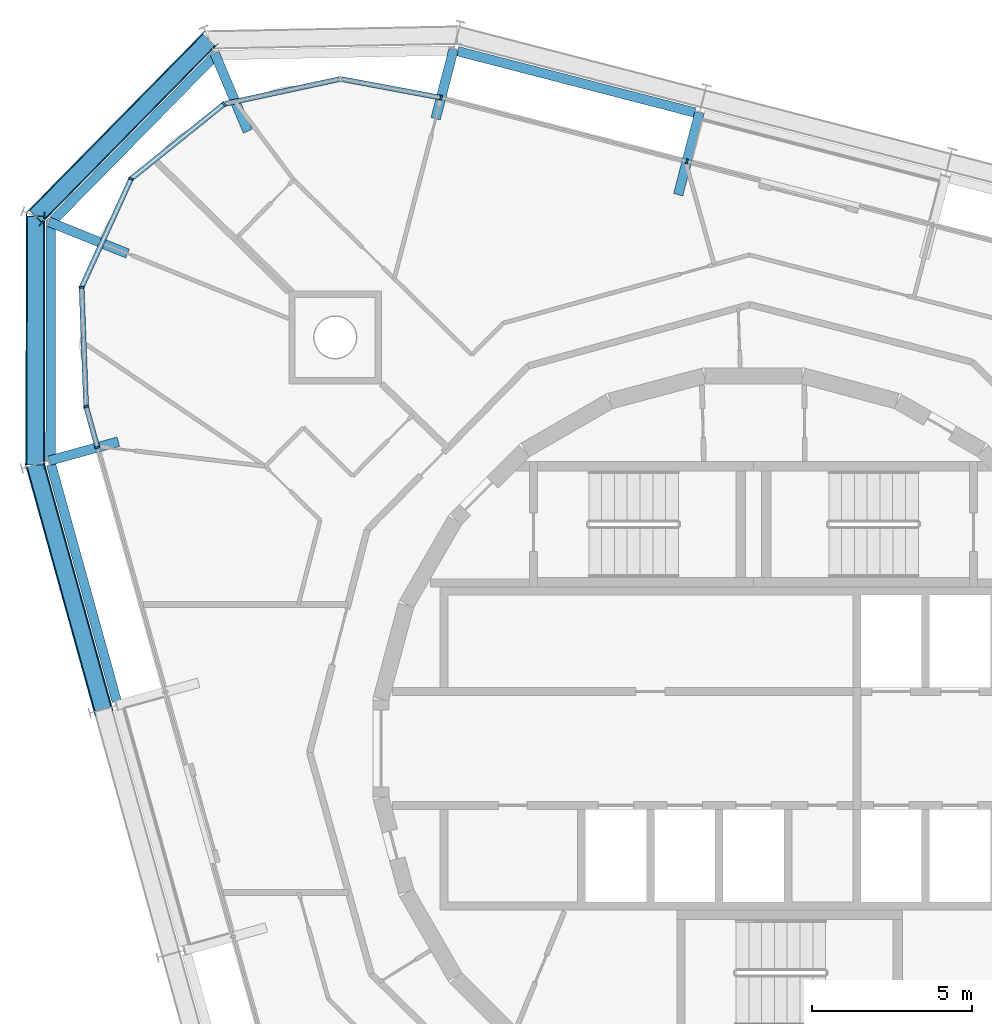
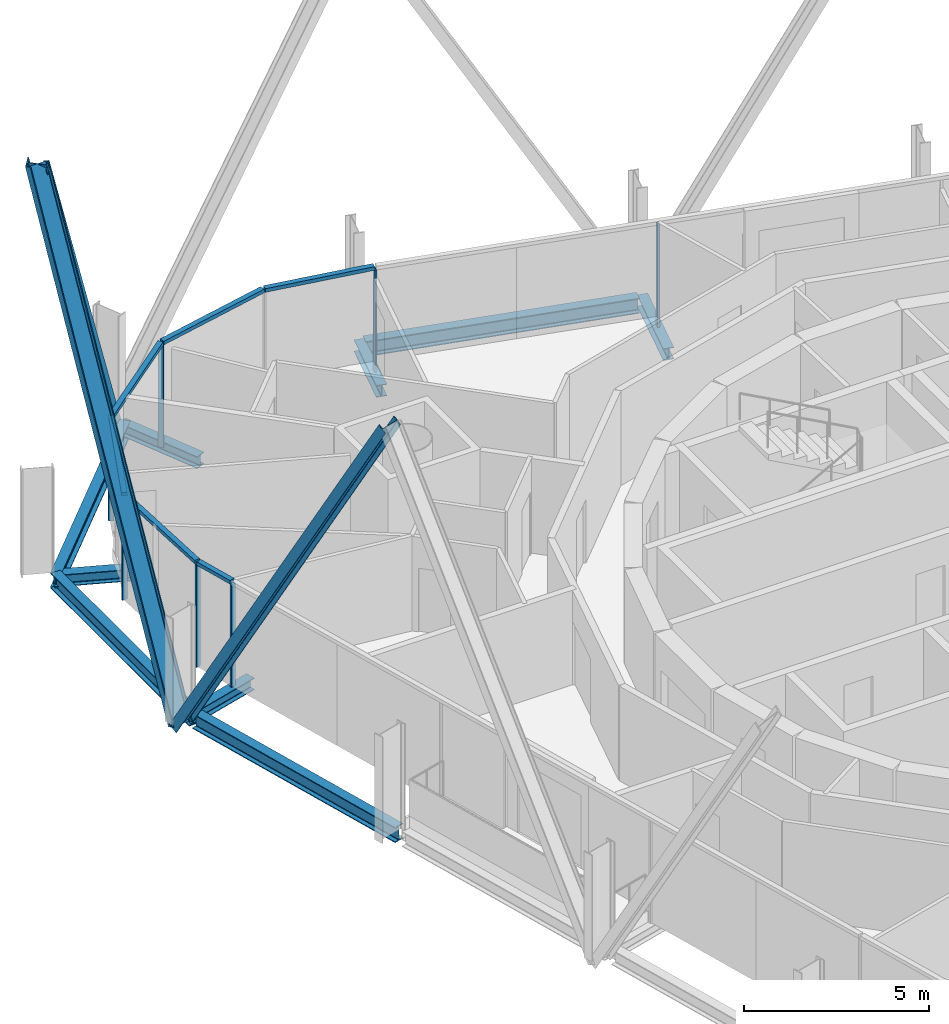
# One storey, part 5 of 15: 16 members, 9 beams, 3 elements without a shape of their own.
"""IFC4 building model written with IfcOpenShell, lengths in metres."""

import ifcopenshell
import ifcopenshell.guid

model = None  # the IFC model being written
_history = None  # IfcOwnerHistory: only IFC2X3 demands one
_inside = {}  # id of a spatial element -> (the spatial element, [elements in it])
_under = {}  # id of a project, library or spatial element -> (it, [spatial elements below it])
_declared = {}  # id of a project -> (the project, [libraries it declares])
_typed = {}  # id of a type object -> (the type object, [elements of that type])
_made_of = {}  # id of a material, layer set ... -> (it, [elements and type objects made of it])


def new_model(schema):
    """Start an empty IFC model of exactly this schema.

    Asked for "IFC4X3", IfcOpenShell would pick the latest addendum, in which some entities
    have other attributes; the version numbers below select the first issue.
    IFC2X3 requires an IfcOwnerHistory on every rooted entity: one is made here for all.
    """
    global model, _history
    if schema == "IFC4X3":
        model = ifcopenshell.file(schema_version=(4, 3, 0, 0))
    else:
        model = ifcopenshell.file(schema=schema)
    _inside.clear()
    _under.clear()
    _declared.clear()
    _typed.clear()
    _made_of.clear()
    _history = None
    if model.schema == "IFC2X3":
        org = make("IfcOrganization", Name="unknown")
        user = make(
            "IfcPersonAndOrganization",
            ThePerson=make("IfcPerson", FamilyName="unknown"),
            TheOrganization=org,
        )
        app = make(
            "IfcApplication",
            ApplicationDeveloper=org,
            Version="unknown",
            ApplicationFullName="unknown",
            ApplicationIdentifier="unknown",
        )
        _history = make(
            "IfcOwnerHistory",
            OwningUser=user,
            OwningApplication=app,
            ChangeAction="ADDED",
            CreationDate=0,
        )
    return model


def make(cls, **values):
    """One entity of the class cls with the attributes given. An attribute that is None is left unset."""
    return model.create_entity(
        cls, **{name: value for name, value in values.items() if value is not None}
    )


def rooted(cls, **values):
    """An entity with a GlobalId (a new one), such as an element, a storey or a relation."""
    return make(cls, GlobalId=ifcopenshell.guid.new(), OwnerHistory=_history, **values)


def si_unit(unit_type, name, prefix=None):
    """IfcSIUnit, for example si_unit("LENGTHUNIT", "METRE", prefix="MILLI")."""
    return make("IfcSIUnit", UnitType=unit_type, Prefix=prefix, Name=name)


def assignment(units):
    """IfcUnitAssignment: the units of a project."""
    return None if units is None else make("IfcUnitAssignment", Units=units)


def point(xyz):
    """IfcCartesianPoint."""
    return None if xyz is None else make("IfcCartesianPoint", Coordinates=xyz)


def direction(xyz):
    """IfcDirection."""
    return None if xyz is None else make("IfcDirection", DirectionRatios=xyz)


def frame(location, z_axis=None, x_axis=None):
    """IfcAxis2Placement3D, a coordinate frame: its origin and axes. An axis left out is left unset."""
    return make(
        "IfcAxis2Placement3D",
        Location=point(location),
        Axis=direction(z_axis),
        RefDirection=direction(x_axis),
    )


def frame_2d(location, x_axis=None):
    """IfcAxis2Placement2D, a coordinate frame in the plane: its origin and x axis."""
    return make(
        "IfcAxis2Placement2D", Location=point(location), RefDirection=direction(x_axis)
    )


def origin():
    """The frame at (0, 0, 0) with its axes left unset."""
    return frame((0.0, 0.0, 0.0))


def origin_2d():
    """The frame at (0, 0) in the plane with its x axis left unset."""
    return frame_2d((0.0, 0.0))


def place(relative_to, where):
    """IfcLocalPlacement: puts the frame where relative to a parent placement (None: the world)."""
    return make(
        "IfcLocalPlacement", PlacementRelTo=relative_to, RelativePlacement=where
    )


def context(
    kind, dimensions, precision=None, world=None, true_north=None, identifier=None
):
    """IfcGeometricRepresentationContext, for example the 3D "Model" context."""
    return make(
        "IfcGeometricRepresentationContext",
        ContextIdentifier=identifier,
        ContextType=kind,
        CoordinateSpaceDimension=dimensions,
        Precision=precision,
        WorldCoordinateSystem=world,
        TrueNorth=true_north,
    )


def subcontext(parent, identifier, kind, view, scale=None):
    """IfcGeometricRepresentationSubContext, for example "Body" below "Model"."""
    return make(
        "IfcGeometricRepresentationSubContext",
        ContextIdentifier=identifier,
        ContextType=kind,
        ParentContext=parent,
        TargetScale=scale,
        TargetView=view,
    )


def project(units=None, contexts=None):
    """IfcProject with its units and contexts."""
    return rooted(
        "IfcProject",
        Name="project",
        RepresentationContexts=contexts,
        UnitsInContext=assignment(units),
    )


def spatial(cls, under=None, at=None, **own):
    """A site, building, storey or space (cls), placed at a placement, below another one or the project."""
    s = rooted(cls, ObjectPlacement=at, **own)
    if under is not None:
        _under.setdefault(under.id(), (under, []))[1].append(s)
    return s


def profile(cls, at=None, kind="AREA", **sizes):
    """A parametric profile (cls). Its sizes go by their IFC names, for example OverallWidth=200.0."""
    return make(cls, ProfileType=kind, Position=at, **sizes)


def rectangle(**sizes):
    """IfcRectangleProfileDef."""
    return profile("IfcRectangleProfileDef", **sizes)


def i_section(**sizes):
    """IfcIShapeProfileDef."""
    return profile("IfcIShapeProfileDef", **sizes)


def extrude(swept, where, along, depth):
    """IfcExtrudedAreaSolid: the profile swept, set in the frame where, extruded along a direction by depth."""
    return make(
        "IfcExtrudedAreaSolid",
        SweptArea=swept,
        Position=where,
        ExtrudedDirection=direction(along),
        Depth=depth,
    )


def shape(context_of_items, identifier, shape_type, items):
    """IfcShapeRepresentation: the items that make up one representation, for example the "Body"."""
    return make(
        "IfcShapeRepresentation",
        ContextOfItems=context_of_items,
        RepresentationIdentifier=identifier,
        RepresentationType=shape_type,
        Items=items,
    )


def material(Name=None, Category=None):
    """IfcMaterial."""
    return make("IfcMaterial", Name=Name, Category=Category)


def layer(
    of_material, thickness, ventilated=None, Name=None, Category=None, Priority=None
):
    """IfcMaterialLayer: one layer of a wall or slab, of a material (None: an air gap)."""
    return make(
        "IfcMaterialLayer",
        Material=of_material,
        LayerThickness=thickness,
        IsVentilated=ventilated,
        Name=Name,
        Category=Category,
        Priority=Priority,
    )


def layer_set(layers, Name=None):
    """IfcMaterialLayerSet."""
    return make("IfcMaterialLayerSet", MaterialLayers=layers, LayerSetName=Name)


def material_profile(
    of_material, cross_section, Name=None, Category=None, Priority=None
):
    """IfcMaterialProfile: a cross section and its material."""
    return make(
        "IfcMaterialProfile",
        Name=Name,
        Material=of_material,
        Profile=cross_section,
        Priority=Priority,
        Category=Category,
    )


def profile_set(profiles, Name=None, composite=None):
    """IfcMaterialProfileSet."""
    return make(
        "IfcMaterialProfileSet",
        Name=Name,
        MaterialProfiles=profiles,
        CompositeProfile=composite,
    )


def made_of(thing, what):
    """Note that an element or type object is made of a material, layer set ...; save() writes the relation."""
    if what is not None:
        _made_of.setdefault(what.id(), (what, []))[1].append(thing)
    return thing


def type_object(cls, material=None, **own):
    """A type object (cls), such as IfcWallType, which elements share."""
    return made_of(rooted(cls, **own), material)


def element(
    cls,
    number,
    at=None,
    inside=None,
    cuts=None,
    type_object=None,
    material=None,
    context=None,
    identifier="Body",
    shape_type=None,
    held_by="IfcProductDefinitionShape",
    body=None,
    shapes=None,
    **own,
):
    """One element of the class cls, such as IfcWall. Its Tag is "e" and its number.

    at: its placement. inside: the storey or other place that contains it. cuts: it is an
    opening in that element (IfcRelVoidsElement). A single representation is given by context,
    identifier, shape_type and body (its items); several are given by shapes. held_by: the class
    of the entity that holds the representations. save() writes the other relations.
    """
    e = rooted(cls, Tag="e%d" % number, ObjectPlacement=at, **own)
    if body is not None:
        shapes = [shape(context, identifier, shape_type, body)]
    if shapes is not None:
        e.Representation = make(held_by, Representations=shapes)
    if inside is not None:
        _inside.setdefault(inside.id(), (inside, []))[1].append(e)
    if cuts is not None:
        rooted(
            "IfcRelVoidsElement", RelatingBuildingElement=cuts, RelatedOpeningElement=e
        )
    if type_object is not None:
        _typed.setdefault(type_object.id(), (type_object, []))[1].append(e)
    return made_of(e, material)


def aggregate(whole, parts):
    """IfcRelAggregates: a whole, such as a stair, and the parts it consists of."""
    return rooted("IfcRelAggregates", RelatingObject=whole, RelatedObjects=parts)


def save(model, path):
    """Write the relations noted so far, then the file.

    IfcRelAggregates (storeys below a building ...), IfcRelContainedInSpatialStructure (elements
    in a storey), IfcRelDefinesByType, IfcRelAssociatesMaterial and IfcRelDeclares: one each for
    every whole, place, type object, material and project.
    """
    for whole, parts in _under.values():
        aggregate(whole, parts)
    for where, things in _inside.values():
        rooted(
            "IfcRelContainedInSpatialStructure",
            RelatedElements=things,
            RelatingStructure=where,
        )
    for kind, things in _typed.values():
        rooted("IfcRelDefinesByType", RelatedObjects=things, RelatingType=kind)
    for what, things in _made_of.values():
        rooted("IfcRelAssociatesMaterial", RelatedObjects=things, RelatingMaterial=what)
    for by, libraries in _declared.values():
        rooted("IfcRelDeclares", RelatingContext=by, RelatedDefinitions=libraries)
    model.write(path)


model = new_model("IFC4")

# Units and contexts
model_context = context("Model", 3, precision=1e-05, world=origin(), true_north=direction((0.0, 1.0)))
body_context = subcontext(model_context, "Body", "Model", "MODEL_VIEW")
ifc_project = project(units=[si_unit("LENGTHUNIT", "METRE"), si_unit("AREAUNIT", "SQUARE_METRE"), si_unit("VOLUMEUNIT", "CUBIC_METRE"), si_unit("PLANEANGLEUNIT", "RADIAN"), si_unit("MASSUNIT", "GRAM", prefix="KILO")], contexts=[model_context])

# Site, building, storey
site_placement = place(None, origin())
site = spatial("IfcSite", under=ifc_project, at=site_placement, CompositionType="ELEMENT")
building_placement = place(site_placement, origin())
building = spatial("IfcBuilding", under=site, at=building_placement, Name="Spindle Arch Residences", CompositionType="ELEMENT")
storey_placement = place(building_placement, frame((0.0, 0.0, 312.199951171875)))
storey = spatial("IfcBuildingStorey", under=building, at=storey_placement, Name="L80", CompositionType="ELEMENT", Elevation=312.199951171875)

# Curtain wall, member
ifc_material_1 = material(Name="Aluminium bronze unitised frame with tinted glass", Category="aluminium")
ifc_layer_1 = layer(ifc_material_1, 0.159912109375)
ifc_layer_set_1 = layer_set([ifc_layer_1], Name="CW-C typical residential unitised wall")
curtain_wall_type_1 = type_object("IfcCurtainWallType", Name="CW-C typical residential unitised wall", PredefinedType="NOTDEFINED", material=ifc_layer_set_1)
curtain_wall_1_placement = place(storey_placement, origin())
curtain_wall_1 = element("IfcCurtainWall", 1, at=curtain_wall_1_placement, inside=storey, type_object=curtain_wall_type_1, Name="CW-C L80 run 2", PredefinedType="NOTDEFINED")
ifc_material_2 = material(Name="Aluminium bronze anodised mullion", Category="aluminium")
ifc_material_profile_1 = material_profile(ifc_material_2, rectangle(XDim=0.159912109375, YDim=0.06005859375, at=origin_2d()), Name="MU 60x160")
ifc_profile_set_1 = profile_set([ifc_material_profile_1], Name="Aluminium bronze anodised mullion")
member_type_1 = type_object("IfcMemberType", Name="Bronze mullion 60x160", PredefinedType="MULLION", material=ifc_profile_set_1)
member_1_placement = place(storey_placement, frame((-2.084228515625, 18.35107421875, -0.3798828125), z_axis=(0.0, 0.0, 1.0), x_axis=(-0.250380004054, -0.968147640378, 0.0)))
member_1 = element("IfcMember", 2, at=member_1_placement, type_object=member_type_1, Name="CW-C mullion 07", PredefinedType="MULLION", context=body_context, shape_type="SweptSolid", body=[
    extrude(rectangle(XDim=0.159912109375, YDim=0.06005859375, at=origin_2d()), origin(), (0.0, 0.0, 1.0), 3.3798828125),
])
aggregate(curtain_wall_1, [member_1])

# Curtain wall, members
ifc_material_3 = material(Name="Aluminium bronze unitised frame with tinted glass", Category="aluminium")
ifc_layer_2 = layer(ifc_material_3, 0.159912109375)
ifc_layer_set_2 = layer_set([ifc_layer_2], Name="CW-D corner wall on the fillet arcs")
curtain_wall_type_2 = type_object("IfcCurtainWallType", Name="CW-D corner wall on the fillet arcs", PredefinedType="NOTDEFINED", material=ifc_layer_set_2)
curtain_wall_2_placement = place(storey_placement, origin())
curtain_wall_2 = element("IfcCurtainWall", 3, at=curtain_wall_2_placement, inside=storey, type_object=curtain_wall_type_2, Name="CW-D L80 run 3", PredefinedType="NOTDEFINED")
member_2_placement = place(storey_placement, frame((-9.7666015625, 20.337890625, -0.3798828125), z_axis=(0.0, 0.0, 1.0), x_axis=(-0.183837217301, -0.98295670176, 0.0)))
member_2 = element("IfcMember", 4, at=member_2_placement, type_object=member_type_1, Name="CW-D mullion 00", PredefinedType="MULLION", context=body_context, shape_type="SweptSolid", body=[
    extrude(rectangle(XDim=0.159912109375, YDim=0.06005859375, at=origin_2d()), origin(), (0.0, 0.0, 1.0), 3.3798828125),
])
member_3_placement = place(storey_placement, frame((-16.5517578125, 20.14013671875, -0.3798828125), z_axis=(0.0, 0.0, 1.0), x_axis=(0.627057107401, -0.778973288411, 0.0)))
member_3 = element("IfcMember", 5, at=member_3_placement, type_object=member_type_1, Name="CW-D mullion 02", PredefinedType="MULLION", context=body_context, shape_type="SweptSolid", body=[
    extrude(rectangle(XDim=0.159912109375, YDim=0.06005859375, at=origin_2d()), origin(), (0.0, 0.0, 1.0), 3.3798828125),
])
member_4_placement = place(storey_placement, frame((-19.454833984375, 17.80322265625, -0.3798828125), z_axis=(0.0, 0.0, 1.0), x_axis=(0.9099612694, -0.414693245896, 0.0)))
member_4 = element("IfcMember", 6, at=member_4_placement, type_object=member_type_1, Name="CW-D mullion 03", PredefinedType="MULLION", context=body_context, shape_type="SweptSolid", body=[
    extrude(rectangle(XDim=0.159912109375, YDim=0.06005859375, at=origin_2d()), origin(), (0.0, 0.0, 1.0), 3.3798828125),
])
member_5_placement = place(storey_placement, frame((-21.00048828125, 14.411865234375, -0.3798828125), z_axis=(0.0, 0.0, 1.0), x_axis=(0.999285080405, 0.037806455536, 0.0)))
member_5 = element("IfcMember", 7, at=member_5_placement, type_object=member_type_1, Name="CW-D mullion 04", PredefinedType="MULLION", context=body_context, shape_type="SweptSolid", body=[
    extrude(rectangle(XDim=0.159912109375, YDim=0.06005859375, at=origin_2d()), origin(), (0.0, 0.0, 1.0), 3.3798828125),
])
member_6_placement = place(storey_placement, frame((-20.859375, 10.687744140625, -0.3798828125), z_axis=(0.0, 0.0, 1.0), x_axis=(0.963630453209, 0.267238376078, 0.0)))
member_6 = element("IfcMember", 8, at=member_6_placement, type_object=member_type_1, Name="CW-D mullion 05", PredefinedType="MULLION", context=body_context, shape_type="SweptSolid", body=[
    extrude(rectangle(XDim=0.159912109375, YDim=0.06005859375, at=origin_2d()), origin(), (0.0, 0.0, 1.0), 3.3798828125),
])

# Curtain wall, member
curtain_wall_3_placement = place(storey_placement, origin())
curtain_wall_3 = element("IfcCurtainWall", 9, at=curtain_wall_3_placement, inside=storey, type_object=curtain_wall_type_1, Name="CW-C L80 run 4", PredefinedType="NOTDEFINED")
member_7_placement = place(storey_placement, frame((-20.505126953125, 9.41015625, -0.3798828125), z_axis=(0.0, 0.0, 1.0), x_axis=(0.963630453209, 0.267238376078, 0.0)))
member_7 = element("IfcMember", 10, at=member_7_placement, type_object=member_type_1, Name="CW-C mullion 11", PredefinedType="MULLION", context=body_context, shape_type="SweptSolid", body=[
    extrude(rectangle(XDim=0.159912109375, YDim=0.06005859375, at=origin_2d()), origin(), (0.0, 0.0, 1.0), 3.3798828125),
])
aggregate(curtain_wall_3, [member_7])

# Member
ifc_material_4 = material(Name="Aluminium bronze anodised transom", Category="aluminium")
ifc_material_profile_2 = material_profile(ifc_material_4, rectangle(XDim=0.159912109375, YDim=0.1201171875, at=origin_2d()), Name="TR 120x160")
ifc_profile_set_2 = profile_set([ifc_material_profile_2], Name="Aluminium bronze anodised transom")
member_type_2 = type_object("IfcMemberType", Name="Bronze transom 120x160", PredefinedType="USERDEFINED", material=ifc_profile_set_2)
member_8_placement = place(storey_placement, frame((-9.796142578125, 20.34326171875, 3.06005859375), z_axis=(-0.982955792974, 0.183842076412, 0.0), x_axis=(-0.183842076412, -0.982955792974, 0.0)))
member_8 = element("IfcMember", 11, at=member_8_placement, type_object=member_type_2, Name="CW-D transom 00", ObjectType="TRANSOM", PredefinedType="USERDEFINED", context=body_context, shape_type="SweptSolid", body=[
    extrude(rectangle(XDim=0.159912109375, YDim=0.1201171875, at=origin_2d()), origin(), (0.0, 0.0, 1.0), 3.13671875),
])

member_9_placement = place(storey_placement, frame((-12.938232421875, 20.919189453125, 3.06005859375), z_axis=(-0.977527770532, -0.210806683571, 0.0), x_axis=(0.210806683571, -0.977527770532, 0.0)))
member_9 = element("IfcMember", 12, at=member_9_placement, type_object=member_type_2, Name="CW-D transom 01", ObjectType="TRANSOM", PredefinedType="USERDEFINED", context=body_context, shape_type="SweptSolid", body=[
    extrude(rectangle(XDim=0.159912109375, YDim=0.1201171875, at=origin_2d()), origin(), (0.0, 0.0, 1.0), 3.66650390625),
])

member_10_placement = place(storey_placement, frame((-16.5751953125, 20.121337890625, 3.06005859375), z_axis=(-0.778981543265, -0.627046852518, 0.0), x_axis=(0.627046852518, -0.778981543265, 0.0)))
member_10 = element("IfcMember", 13, at=member_10_placement, type_object=member_type_2, Name="CW-D transom 02", ObjectType="TRANSOM", PredefinedType="USERDEFINED", context=body_context, shape_type="SweptSolid", body=[
    extrude(rectangle(XDim=0.159912109375, YDim=0.1201171875, at=origin_2d()), origin(), (0.0, 0.0, 1.0), 3.6669921875),
])

member_11_placement = place(storey_placement, frame((-19.46728515625, 17.77587890625, 3.06005859375), z_axis=(-0.414725728642, -0.90994646546, 0.0), x_axis=(0.90994646546, -0.414725728642, 0.0)))
member_11 = element("IfcMember", 14, at=member_11_placement, type_object=member_type_2, Name="CW-D transom 03", ObjectType="TRANSOM", PredefinedType="USERDEFINED", context=body_context, shape_type="SweptSolid", body=[
    extrude(rectangle(XDim=0.159912109375, YDim=0.1201171875, at=origin_2d()), origin(), (0.0, 0.0, 1.0), 3.6669921875),
])

member_12_placement = place(storey_placement, frame((-20.999267578125, 14.382080078125, 3.06005859375), z_axis=(0.03781688996, -0.99928468558, 0.0), x_axis=(0.99928468558, 0.03781688996, 0.0)))
member_12 = element("IfcMember", 15, at=member_12_placement, type_object=member_type_2, Name="CW-D transom 04", ObjectType="TRANSOM", PredefinedType="USERDEFINED", context=body_context, shape_type="SweptSolid", body=[
    extrude(rectangle(XDim=0.159912109375, YDim=0.1201171875, at=origin_2d()), origin(), (0.0, 0.0, 1.0), 3.6669921875),
])

member_13_placement = place(storey_placement, frame((-20.8515625, 10.658935546875, 3.06005859375), z_axis=(0.267275846412, -0.963620060981, 0.0), x_axis=(0.963620060981, 0.267275846412, 0.0)))
member_13 = element("IfcMember", 16, at=member_13_placement, type_object=member_type_2, Name="CW-D transom 05", ObjectType="TRANSOM", PredefinedType="USERDEFINED", context=body_context, shape_type="SweptSolid", body=[
    extrude(rectangle(XDim=0.159912109375, YDim=0.1201171875, at=origin_2d()), origin(), (0.0, 0.0, 1.0), 1.26611328125),
])

aggregate(curtain_wall_2, [member_2, member_8, member_9, member_3, member_10, member_4, member_11, member_5, member_12, member_6, member_13])

# Members
ifc_material_5 = material(Name="Steel S460ML, intumescent coating R 240", Category="steel")
ifc_material_profile_3 = material_profile(ifc_material_5, i_section(OverallWidth=0.300048828125, OverallDepth=0.60009765625, WebThickness=0.015380859375, FlangeThickness=0.030029296875, FilletRadius=0.027099609375, at=origin_2d()), Name="HEB 600")
ifc_profile_set_3 = profile_set([ifc_material_profile_3], Name="Steel S460ML, intumescent coating R 240")
member_type_3 = type_object("IfcMemberType", Name="Diagrid diagonal HEB 600", PredefinedType="BRACE", material=ifc_profile_set_3)
member_14_placement = place(storey_placement, frame((-17.0185546875, 22.144775390625, -0.6298828125), z_axis=(-0.343136747331, -0.349180281935, 0.871969210087), x_axis=(0.611169702732, 0.621933997947, 0.489560718053)))
element("IfcMember", 17, at=member_14_placement, inside=storey, type_object=member_type_3, Name="Diagrid diagonal 8.2.10", PredefinedType="BRACE", context=body_context, shape_type="SweptSolid", body=[
    extrude(i_section(OverallWidth=0.300048828125, OverallDepth=0.60009765625, WebThickness=0.015380859375, FlangeThickness=0.030029296875, FilletRadius=0.027099609375, at=origin_2d()), origin(), (0.0, 0.0, 1.0), 15.795166015625),
])
member_15_placement = place(storey_placement, frame((-22.45166015625, 8.870361328125, -0.6298828125), z_axis=(0.000833975663, 0.490825565691, 0.871257463985), x_axis=(-0.001480376173, -0.871256206311, 0.490826274206)))
element("IfcMember", 18, at=member_15_placement, inside=storey, type_object=member_type_3, Name="Diagrid diagonal 8.2.11", PredefinedType="BRACE", context=body_context, shape_type="SweptSolid", body=[
    extrude(i_section(OverallWidth=0.300048828125, OverallDepth=0.60009765625, WebThickness=0.015380859375, FlangeThickness=0.030029296875, FilletRadius=0.027099609375, at=origin_2d()), origin(), (0.0, 0.0, 1.0), 15.80810546875),
])
member_16_placement = place(storey_placement, frame((-22.45166015625, 8.870361328125, -0.6298828125), z_axis=(0.133411044689, -0.481053870555, 0.866480621121), x_axis=(-0.231561708301, 0.834965772968, 0.499210710243)))
element("IfcMember", 19, at=member_16_placement, inside=storey, type_object=member_type_3, Name="Diagrid diagonal 8.2.12", PredefinedType="BRACE", context=body_context, shape_type="SweptSolid", body=[
    extrude(i_section(OverallWidth=0.300048828125, OverallDepth=0.60009765625, WebThickness=0.015380859375, FlangeThickness=0.030029296875, FilletRadius=0.027099609375, at=origin_2d()), origin(), (0.0, 0.0, 1.0), 15.895263671875),
])

# Beams
ifc_material_6 = material(Name="Steel S460ML, intumescent coating R 120", Category="steel")
ifc_material_profile_4 = material_profile(ifc_material_6, i_section(OverallWidth=0.300048828125, OverallDepth=0.5, WebThickness=0.014404296875, FlangeThickness=0.028076171875, FilletRadius=0.027099609375, at=origin_2d()), Name="HEB 500")
ifc_profile_set_4 = profile_set([ifc_material_profile_4], Name="Steel S460ML, intumescent coating R 120")
beam_type_1 = type_object("IfcBeamType", Name="Exoskeleton edge beam HEB 500", PredefinedType="BEAM", material=ifc_profile_set_4)
beam_1_placement = place(storey_placement, frame((-1.824462890625, 19.87451171875, -0.6298828125), z_axis=(-0.968149836341, 0.250371512743, 0.0), x_axis=(-0.250371512743, -0.968149836341, 0.0)))
element("IfcBeam", 20, at=beam_1_placement, inside=storey, type_object=beam_type_1, Name="Exoskeleton edge beam 8", PredefinedType="BEAM", context=body_context, shape_type="SweptSolid", body=[
    extrude(i_section(OverallWidth=0.300048828125, OverallDepth=0.5, WebThickness=0.014404296875, FlangeThickness=0.028076171875, FilletRadius=0.027099609375, at=origin_2d()), origin(), (0.0, 0.0, 1.0), 7.675048828125),
])
beam_2_placement = place(storey_placement, frame((-16.767333984375, 21.715576171875, -0.6298828125), z_axis=(-0.700904877176, -0.713254760342, 0.0), x_axis=(0.713254760342, -0.700904877176, 0.0)))
element("IfcBeam", 21, at=beam_2_placement, inside=storey, type_object=beam_type_1, Name="Exoskeleton edge beam 10", PredefinedType="BEAM", context=body_context, shape_type="SweptSolid", body=[
    extrude(i_section(OverallWidth=0.300048828125, OverallDepth=0.5, WebThickness=0.014404296875, FlangeThickness=0.028076171875, FilletRadius=0.027099609375, at=origin_2d()), origin(), (0.0, 0.0, 1.0), 7.47265625),
])
beam_3_placement = place(storey_placement, frame((-21.95947265625, 16.472412109375, -0.6298828125), z_axis=(-0.001692871227, -0.999998567092, 0.0), x_axis=(0.999998567092, -0.001692871227, 0.0)))
element("IfcBeam", 22, at=beam_3_placement, inside=storey, type_object=beam_type_1, Name="Exoskeleton edge beam 11", PredefinedType="BEAM", context=body_context, shape_type="SweptSolid", body=[
    extrude(i_section(OverallWidth=0.300048828125, OverallDepth=0.5, WebThickness=0.014404296875, FlangeThickness=0.028076171875, FilletRadius=0.027099609375, at=origin_2d()), origin(), (0.0, 0.0, 1.0), 7.499267578125),
])
beam_4_placement = place(storey_placement, frame((-21.954345703125, 8.873291015625, -0.6298828125), z_axis=(0.26723040865, -0.963632662737, 0.0), x_axis=(0.963632662737, 0.26723040865, 0.0)))
element("IfcBeam", 23, at=beam_4_placement, inside=storey, type_object=beam_type_1, Name="Exoskeleton edge beam 12", PredefinedType="BEAM", context=body_context, shape_type="SweptSolid", body=[
    extrude(i_section(OverallWidth=0.300048828125, OverallDepth=0.5, WebThickness=0.014404296875, FlangeThickness=0.028076171875, FilletRadius=0.027099609375, at=origin_2d()), origin(), (0.0, 0.0, 1.0), 7.675048828125),
])
ifc_material_7 = material(Name="Steel S460ML, intumescent coating R 120", Category="steel")
ifc_material_profile_5 = material_profile(ifc_material_7, i_section(OverallWidth=0.300048828125, OverallDepth=0.389892578125, WebThickness=0.010986328125, FlangeThickness=0.01904296875, FilletRadius=0.027099609375, at=origin_2d()), Name="HEA 400")
ifc_profile_set_5 = profile_set([ifc_material_profile_5], Name="Steel S460ML, intumescent coating R 120")
beam_type_2 = type_object("IfcBeamType", Name="Floor outrigger HEA 400", PredefinedType="BEAM", material=ifc_profile_set_5)
beam_5_placement = place(storey_placement, frame((-1.691162109375, 19.87109375, -0.574951171875), z_axis=(-0.250396221036, -0.968143446237, 0.0), x_axis=(0.968143446237, -0.250396221036, 0.0)))
element("IfcBeam", 24, at=beam_5_placement, inside=storey, type_object=beam_type_2, Name="Floor outrigger 8", PredefinedType="BEAM", context=body_context, shape_type="SweptSolid", body=[
    extrude(i_section(OverallWidth=0.300048828125, OverallDepth=0.389892578125, WebThickness=0.010986328125, FlangeThickness=0.01904296875, FilletRadius=0.027099609375, at=origin_2d()), origin(), (0.0, 0.0, 1.0), 2.650146484375),
])
beam_6_placement = place(storey_placement, frame((-9.37353515625, 21.857666015625, -0.574951171875), z_axis=(-0.250347717753, -0.968155989609, 0.0), x_axis=(0.968155989609, -0.250347717753, 0.0)))
element("IfcBeam", 25, at=beam_6_placement, inside=storey, type_object=beam_type_2, Name="Floor outrigger 9", PredefinedType="BEAM", context=body_context, shape_type="SweptSolid", body=[
    extrude(i_section(OverallWidth=0.300048828125, OverallDepth=0.389892578125, WebThickness=0.010986328125, FlangeThickness=0.01904296875, FilletRadius=0.027099609375, at=origin_2d()), origin(), (0.0, 0.0, 1.0), 2.247802734375),
])
for number, where, z_axis, x_axis, name in (
    (26, (-16.8427734375, 21.73046875, -0.574951171875), (0.390625555943, -0.920549659195, 0.0), (0.920549659195, 0.390625555943, 0.0), "Floor outrigger 10"),
    (27, (-22.02099609375, 16.4609375, -0.574951171875), (0.927219688575, -0.374517888917, 0.0), (0.374517888917, 0.927219688575, 0.0), "Floor outrigger 11"),
):
    element("IfcBeam", number, at=place(storey_placement, frame(where, z_axis=z_axis, x_axis=x_axis)), inside=storey, type_object=beam_type_2, Name=name, PredefinedType="BEAM", context=body_context, shape_type="SweptSolid", body=[
        extrude(i_section(OverallWidth=0.300048828125, OverallDepth=0.389892578125, WebThickness=0.010986328125, FlangeThickness=0.01904296875, FilletRadius=0.027099609375, at=origin_2d()), origin(), (0.0, 0.0, 1.0), 2.64990234375),
    ])
beam_7_placement = place(storey_placement, frame((-22.01806640625, 8.990478515625, -0.574951171875), z_axis=(0.963622081643, 0.267268561132, 0.0), x_axis=(-0.267268561132, 0.963622081643, 0.0)))
element("IfcBeam", 28, at=beam_7_placement, inside=storey, type_object=beam_type_2, Name="Floor outrigger 12", PredefinedType="BEAM", context=body_context, shape_type="SweptSolid", body=[
    extrude(i_section(OverallWidth=0.300048828125, OverallDepth=0.389892578125, WebThickness=0.010986328125, FlangeThickness=0.01904296875, FilletRadius=0.027099609375, at=origin_2d()), origin(), (0.0, 0.0, 1.0), 2.248046875),
])

save(model, "model.ifc")
